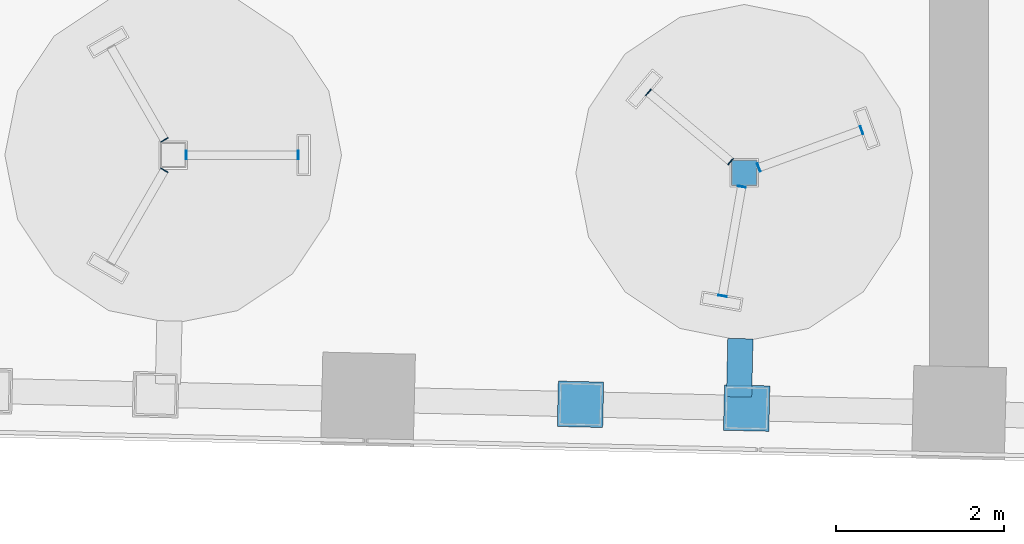
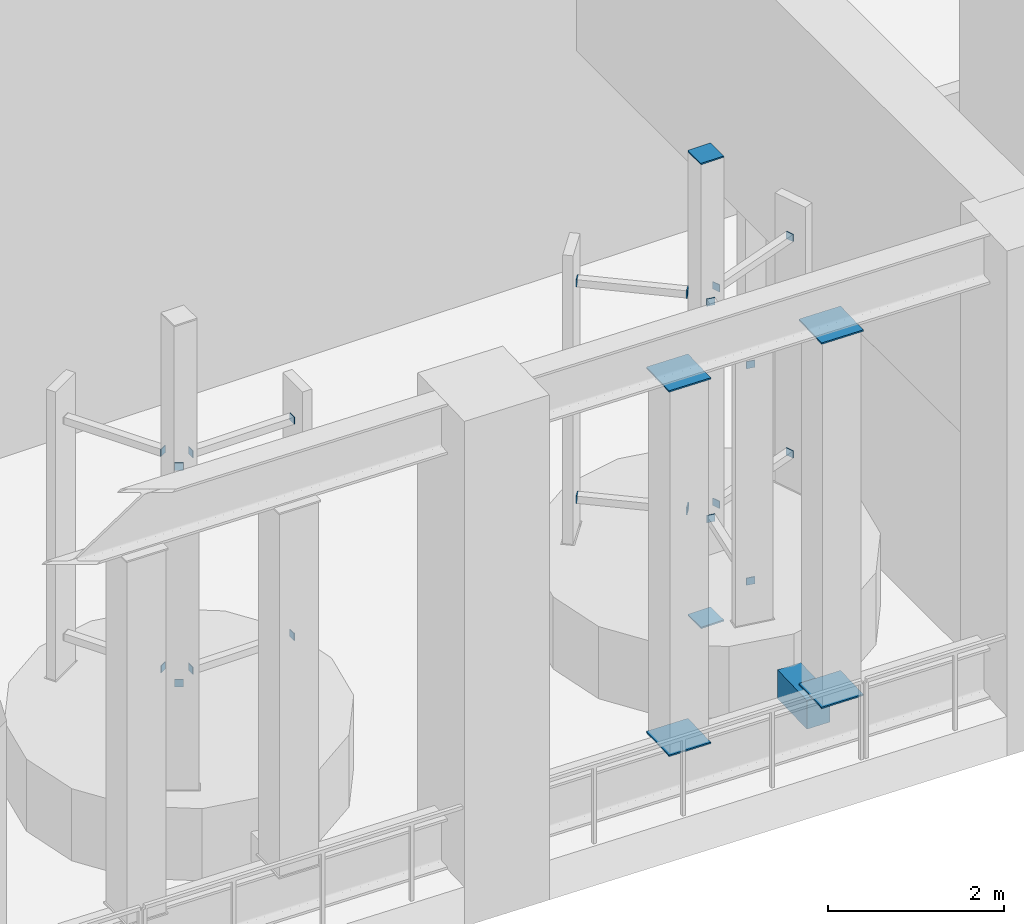
# One storey, part 17 of 33: 27 discrete accessories.
"""IFC4 building model written with IfcOpenShell, lengths in metres."""

from ifc_helpers import new_model, si_unit, direction, frame, origin, origin_2d, place, context, subcontext, project, spatial, rectangle, extrude, material, layer, layer_set, type_object, element, save


model = new_model("IFC4")

# Units and contexts
model_context = context("Model", 3, precision=1e-05, world=origin(), true_north=direction((0.0, 1.0)))
body_context = subcontext(model_context, "Body", "Model", "MODEL_VIEW")
ifc_project = project(units=[si_unit("LENGTHUNIT", "METRE"), si_unit("AREAUNIT", "SQUARE_METRE"), si_unit("VOLUMEUNIT", "CUBIC_METRE"), si_unit("PLANEANGLEUNIT", "RADIAN"), si_unit("MASSUNIT", "GRAM", prefix="KILO")], contexts=[model_context])

# Site, building, storey
site_placement = place(None, origin())
site = spatial("IfcSite", under=ifc_project, at=site_placement, CompositionType="ELEMENT")
building_placement = place(site_placement, origin())
building = spatial("IfcBuilding", under=site, at=building_placement, Name="Mangrove Gate Tower", CompositionType="ELEMENT")
storey_placement = place(building_placement, frame((0.0, 0.0, 219.5)))
storey = spatial("IfcBuildingStorey", under=building, at=storey_placement, Name="L56", CompositionType="ELEMENT", Elevation=219.5)

# Discrete accessories
ifc_material_1 = material(Name="Steel S355J2H", Category="steel")
ifc_layer_1 = layer(ifc_material_1, 0.010009765625)
ifc_layer_set_1 = layer_set([ifc_layer_1], Name="Arm end plate 100x100x10")
discrete_accessory_type_1 = type_object("IfcDiscreteAccessoryType", Name="Arm end plate 100x100x10", PredefinedType="ANCHORPLATE", material=ifc_layer_set_1)
for number, where, z_axis, x_axis, name in (
    (1, (2.35009765625, -18.14111328125, 1.449951171875), (0.0, 0.0, 1.0), (1.0, 0.0, 0.0), "END PLATE ARM L56 7.1.1 MAST"),
    (2, (3.679931640625, -18.14111328125, 1.449951171875), (0.0, 0.0, 1.0), (1.0, 0.0, 0.0), "END PLATE ARM L56 7.1.1 FIN"),
    (3, (2.35009765625, -18.14111328125, 4.449951171875), (0.0, 0.0, 1.0), (1.0, 0.0, 0.0), "END PLATE ARM L56 7.1.2 MAST"),
    (4, (3.679931640625, -18.14111328125, 4.449951171875), (0.0, 0.0, 1.0), (1.0, 0.0, 0.0), "END PLATE ARM L56 7.1.2 FIN"),
    (5, (2.091064453125, -17.9609375, 1.449951171875), (0.0, 0.0, 1.0), (-0.5, 0.866025403784, 0.0), "END PLATE ARM L56 7.2.1 MAST"),
    (6, (2.091064453125, -17.9609375, 4.449951171875), (0.0, 0.0, 1.0), (-0.5, 0.866025403784, 0.0), "END PLATE ARM L56 7.2.2 MAST"),
    (7, (2.091064453125, -18.321044921875, 1.449951171875), (0.0, 0.0, 1.0), (-0.5, -0.866025403784, 0.0), "END PLATE ARM L56 7.3.1 MAST"),
    (8, (2.091064453125, -18.321044921875, 4.449951171875), (0.0, 0.0, 1.0), (-0.5, -0.866025403784, 0.0), "END PLATE ARM L56 7.3.2 MAST"),
    (9, (9.152099609375, -18.2890625, 1.449951171875), (0.0, 0.0, 1.0), (0.939692620786, 0.342020143326, 0.0), "END PLATE ARM L56 8.1.1 MAST"),
    (10, (10.3740234375, -17.843994140625, 1.449951171875), (0.0, 0.0, 1.0), (0.939692620786, 0.342020143326, 0.0), "END PLATE ARM L56 8.1.1 FIN"),
    (11, (9.152099609375, -18.2890625, 4.449951171875), (0.0, 0.0, 1.0), (0.939692620786, 0.342020143326, 0.0), "END PLATE ARM L56 8.1.2 MAST"),
    (12, (10.3740234375, -17.843994140625, 4.449951171875), (0.0, 0.0, 1.0), (0.939692620786, 0.342020143326, 0.0), "END PLATE ARM L56 8.1.2 FIN"),
    (13, (8.818115234375, -18.217041015625, 1.449951171875), (0.0, 0.0, 1.0), (-0.766044443119, 0.642787609687, 0.0), "END PLATE ARM L56 8.2.1 MAST"),
    (14, (7.841064453125, -17.39697265625, 1.449951171875), (0.0, 0.0, 1.0), (-0.766044443119, 0.642787609687, 0.0), "END PLATE ARM L56 8.2.1 FIN"),
    (15, (8.818115234375, -18.217041015625, 4.449951171875), (0.0, 0.0, 1.0), (-0.766044443119, 0.642787609687, 0.0), "END PLATE ARM L56 8.2.2 MAST"),
    (16, (7.841064453125, -17.39697265625, 4.449951171875), (0.0, 0.0, 1.0), (-0.766044443119, 0.642787609687, 0.0), "END PLATE ARM L56 8.2.2 FIN"),
    (17, (8.949951171875, -18.51611328125, 1.449951171875), (0.0, 0.0, 1.0), (-0.173648177667, -0.984807753012, 0.0), "END PLATE ARM L56 8.3.1 MAST"),
    (18, (8.720947265625, -19.81396484375, 1.449951171875), (0.0, 0.0, 1.0), (-0.173648177667, -0.984807753012, 0.0), "END PLATE ARM L56 8.3.1 FIN"),
    (19, (8.949951171875, -18.51611328125, 4.449951171875), (0.0, 0.0, 1.0), (-0.173648177667, -0.984807753012, 0.0), "END PLATE ARM L56 8.3.2 MAST"),
    (20, (8.720947265625, -19.81396484375, 4.449951171875), (0.0, 0.0, 1.0), (-0.173648177667, -0.984807753012, 0.0), "END PLATE ARM L56 8.3.2 FIN"),
):
    element("IfcDiscreteAccessory", number, at=place(storey_placement, frame(where, z_axis=z_axis, x_axis=x_axis)), inside=storey, type_object=discrete_accessory_type_1, Name=name, PredefinedType="ANCHORPLATE", context=body_context, shape_type="SweptSolid", body=[
        extrude(rectangle(XDim=0.010009765625, YDim=0.10009765625, at=origin_2d()), origin(), (0.0, 0.0, 1.0), 0.10009765625),
    ])
ifc_material_2 = material(Name="Steel S355J2H", Category="steel")
ifc_layer_2 = layer(ifc_material_2, 0.02001953125)
ifc_layer_set_2 = layer_set([ifc_layer_2], Name="Belt truss end plate 540x540x20")
discrete_accessory_type_2 = type_object("IfcDiscreteAccessoryType", Name="Belt truss end plate 540x540x20", PredefinedType="ANCHORPLATE", material=ifc_layer_set_2)
for number, where, z_axis, x_axis, name in (
    (21, (7.034423828125, -21.1015625, 0.68994140625), (0.0, 0.0, 1.0), (0.999740510785, -0.02277962018, 0.0), "Belt truss end plate L56 08-1 bottom"),
    (22, (7.034423828125, -21.1015625, 5.739990234375), (0.0, 0.0, 1.0), (0.999740510785, -0.02277962018, 0.0), "Belt truss end plate L56 08-1 top"),
    (23, (9.008544921875, -21.146728515625, 0.68994140625), (0.0, 0.0, 1.0), (0.999740510785, -0.02277962018, 0.0), "Belt truss end plate L56 08-2 bottom"),
    (24, (9.008544921875, -21.146728515625, 5.739990234375), (0.0, 0.0, 1.0), (0.999740510785, -0.02277962018, 0.0), "Belt truss end plate L56 08-2 top"),
):
    element("IfcDiscreteAccessory", number, at=place(storey_placement, frame(where, z_axis=z_axis, x_axis=x_axis)), inside=storey, type_object=discrete_accessory_type_2, Name=name, PredefinedType="ANCHORPLATE", context=body_context, shape_type="SweptSolid", body=[
        extrude(rectangle(XDim=0.5400390625, YDim=0.5400390625, at=origin_2d()), origin(), (0.0, 0.0, 1.0), 0.02001953125),
    ])
ifc_material_3 = material(Name="Steel S355J2H", Category="steel")
ifc_layer_3 = layer(ifc_material_3, 0.02001953125)
ifc_layer_set_3 = layer_set([ifc_layer_3], Name="Mast end plate 300x300x20")
discrete_accessory_type_3 = type_object("IfcDiscreteAccessoryType", Name="Mast end plate 300x300x20", PredefinedType="ANCHORPLATE", material=ifc_layer_set_3)
for number, where, z_axis, x_axis, name in (
    (25, (8.97900390625, -18.35205078125, 0.0), (0.0, 0.0, 1.0), (1.0, 0.0, 0.0), "END PLATE MAST L56 8 FOOT"),
    (26, (8.97900390625, -18.35205078125, 6.429931640625), (0.0, 0.0, 1.0), (1.0, 0.0, 0.0), "END PLATE MAST L56 8 HEAD"),
):
    element("IfcDiscreteAccessory", number, at=place(storey_placement, frame(where, z_axis=z_axis, x_axis=x_axis)), inside=storey, type_object=discrete_accessory_type_3, Name=name, PredefinedType="ANCHORPLATE", context=body_context, shape_type="SweptSolid", body=[
        extrude(rectangle(XDim=0.300048828125, YDim=0.300048828125, at=origin_2d()), origin(), (0.0, 0.0, 1.0), 0.02001953125),
    ])
ifc_material_4 = material(Name="Steel S355J2", Category="steel")
ifc_layer_4 = layer(ifc_material_4, 0.39990234375)
ifc_layer_set_4 = layer_set([ifc_layer_4], Name="Turbine bracket")
discrete_accessory_type_4 = type_object("IfcDiscreteAccessoryType", Name="Turbine bracket", PredefinedType="BRACKET", material=ifc_layer_set_4)
discrete_accessory_placement = place(storey_placement, frame((8.92626953125, -20.66796875, 0.150146484375), z_axis=(0.0, 0.0, 1.0), x_axis=(0.022779550385, 0.999740512375, 0.0)))
element("IfcDiscreteAccessory", 27, at=discrete_accessory_placement, inside=storey, type_object=discrete_accessory_type_4, Name="Turbine bracket GEN-L56-S8", PredefinedType="BRACKET", context=body_context, shape_type="SweptSolid", body=[
    extrude(rectangle(XDim=0.693115234375, YDim=0.300048828125, at=origin_2d()), origin(), (0.0, 0.0, 1.0), 0.39990234375),
])

save(model, "model.ifc")
